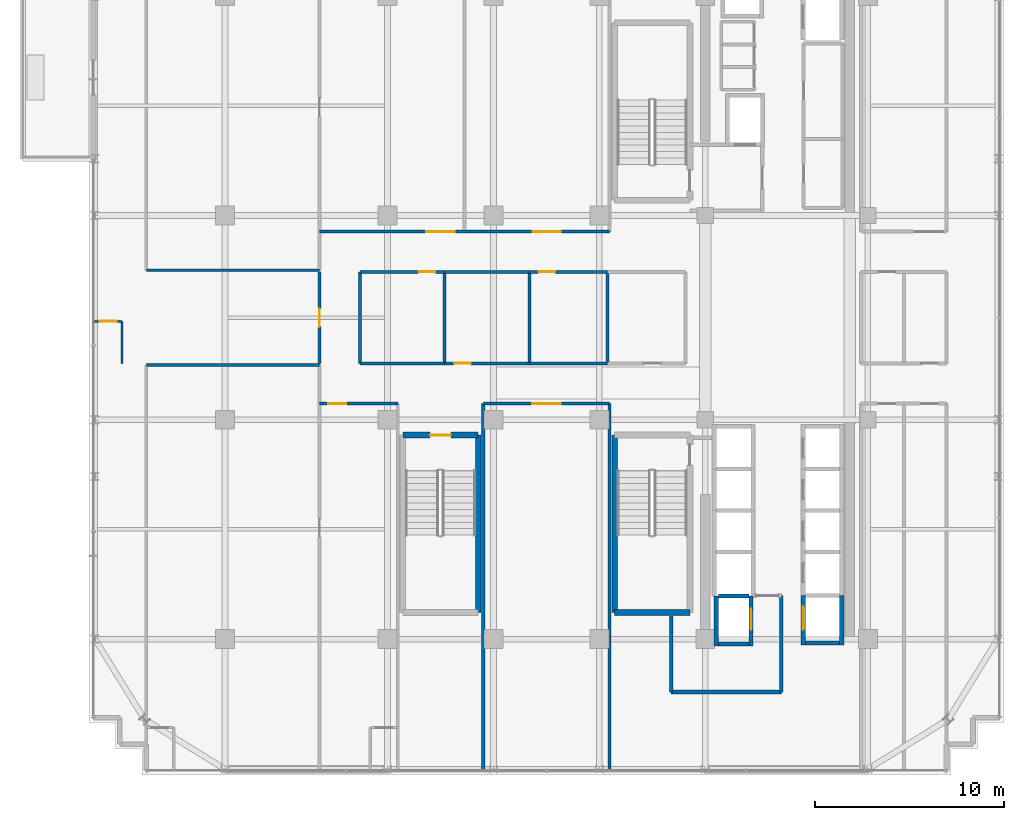
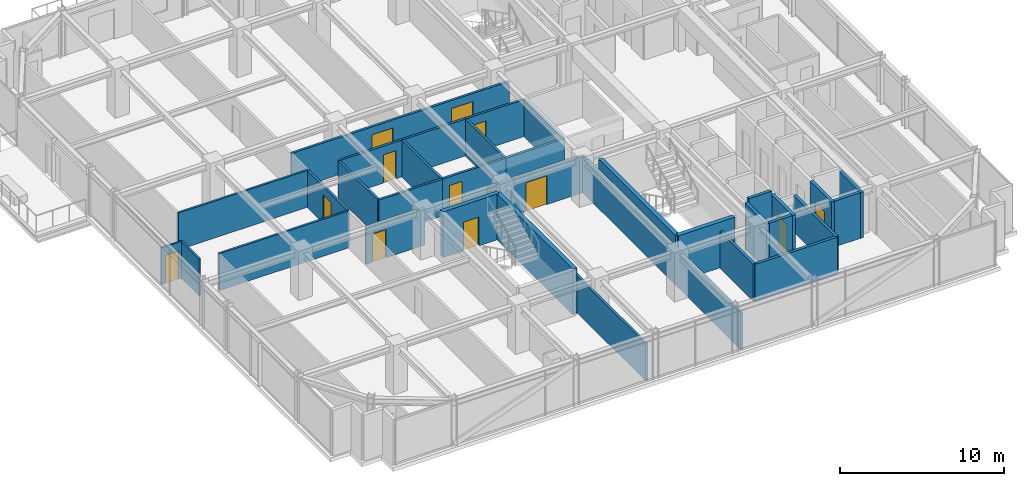
# One storey, part 29 of 36: 34 walls, 12 doors, 12 openings.
"""IFC4 building model written with IfcOpenShell, lengths in metres."""

from ifc_helpers import new_model, si_unit, direction, frame, frame_2d, origin, place, context, subcontext, project, spatial, rectangle, extrude, source, transform, mapped, material, layer, layer_set, type_object, element, fill, save


model = new_model("IFC4")

# Units and contexts
model_context = context("Model", 3, precision=1e-05, world=origin(), true_north=direction((0.0, 1.0)))
body_context = subcontext(model_context, "Body", "Model", "MODEL_VIEW")
ifc_project = project(units=[si_unit("LENGTHUNIT", "METRE"), si_unit("AREAUNIT", "SQUARE_METRE"), si_unit("VOLUMEUNIT", "CUBIC_METRE"), si_unit("PLANEANGLEUNIT", "RADIAN"), si_unit("MASSUNIT", "GRAM", prefix="KILO")], contexts=[model_context])

# Site, building, storey
site_placement = place(None, origin())
site = spatial("IfcSite", under=ifc_project, at=site_placement, CompositionType="ELEMENT")
building_placement = place(site_placement, origin())
building = spatial("IfcBuilding", under=site, at=building_placement, Name="Nahalor Promenade Grand Hotel", CompositionType="ELEMENT")
storey_placement = place(building_placement, frame((0.0, 0.0, 212.300048828125)))
storey = spatial("IfcBuildingStorey", under=building, at=storey_placement, Name="L54", CompositionType="ELEMENT", Elevation=212.300048828125)

# Wall
ifc_material_1 = material(Name="Concrete B-50 (C40/50)", Category="concrete")
ifc_layer_1 = layer(ifc_material_1, 0.300048828125)
ifc_layer_set_1 = layer_set([ifc_layer_1], Name="Concrete B-50 (C40/50)")
wall_type_1 = type_object("IfcWallType", Name="Wall-ShaftShear-300", PredefinedType="SHEAR", material=ifc_layer_set_1)
shared_shape_1 = source(origin(), body_context, "Body", "SweptSolid", [
    extrude(rectangle(XDim=3.97998046875, YDim=0.300048828125, at=frame_2d((1.989990234375, 0.0))), origin(), (0.0, 0.0, 1.0), 3.409912109375),
])
wall_1_placement = place(storey_placement, frame((3.610107421875, -15.590087890625, 0.0), z_axis=(0.0, 0.0, 1.0), x_axis=(1.0, 0.0, 0.0)))
element("IfcWall", 1, at=wall_1_placement, inside=storey, type_object=wall_type_1, Name="L54 Exit Stair ST2 Shaft Wall S", PredefinedType="SHEAR", context=body_context, shape_type="MappedRepresentation", body=[
    mapped(shared_shape_1, transform((0.0, 0.0, 0.0), scale=1.0)),
])

# Wall, opening, door
wall_2_placement = place(storey_placement, frame((-7.590087890625, -6.2099609375, 0.0), z_axis=(0.0, 0.0, 1.0), x_axis=(1.0, 0.0, 0.0)))
wall_2 = element("IfcWall", 2, at=wall_2_placement, inside=storey, type_object=wall_type_1, Name="L54 Exit Stair ST3 Shaft Wall N", PredefinedType="SHEAR", context=body_context, shape_type="MappedRepresentation", body=[
    mapped(shared_shape_1, transform((0.0, 0.0, 0.0), scale=1.0)),
])
opening_1_placement = place(wall_2_placement, frame((1.43994140625, 0.0, 0.0)))
opening_1 = element("IfcOpeningElement", 3, at=opening_1_placement, cuts=wall_2, Name="Opening D-ST1", PredefinedType="OPENING", context=body_context, shape_type="SweptSolid", body=[
    extrude(rectangle(XDim=1.10009765625, YDim=2.14990234375, at=frame_2d((0.550048828125, 1.074951171875))), frame((0.0, 0.159912109375, 0.0), z_axis=(0.0, -1.0, 0.0), x_axis=(1.0, 0.0, 0.0)), (0.0, 0.0, 1.0), 0.320068359375),
])
ifc_material_2 = material(Name="Steel S355JR", Category="steel")
door_type_1 = type_object("IfcDoorType", Name="Door-StairFire-1100", OperationType="NOTDEFINED", PredefinedType="DOOR", material=ifc_material_2)
shared_shape_2 = source(origin(), body_context, "Body", "SweptSolid", [
    extrude(rectangle(XDim=1.10009765625, YDim=2.14990234375, at=frame_2d((0.550048828125, 1.074951171875))), frame((0.0, 0.02490234375, 0.0), z_axis=(0.0, -1.0, 0.0), x_axis=(1.0, 0.0, 0.0)), (0.0, 0.0, 1.0), 0.050048828125),
])
door_1_placement = place(opening_1_placement, frame((1.10009765625, 0.0, 0.0), z_axis=(0.0, 0.0, 1.0), x_axis=(-1.0, 0.0, 0.0)))
door_1 = element("IfcDoor", 4, at=door_1_placement, inside=storey, type_object=door_type_1, Name="DR-STAIR-ST3-L54", OperationType="SINGLE_SWING_LEFT", OverallHeight=2.14990234375, OverallWidth=1.10009765625, PredefinedType="DOOR", context=body_context, shape_type="MappedRepresentation", body=[
    mapped(shared_shape_2, transform((0.0, 0.0, 0.0), scale=1.0)),
])
fill(opening_1, door_1)

# Walls
shared_shape_3 = source(origin(), body_context, "Body", "SweptSolid", [
    extrude(rectangle(XDim=9.380126953125, YDim=0.300048828125, at=frame_2d((4.68994140625, 0.0))), origin(), (0.0, 0.0, 1.0), 3.409912109375),
])
for number, where, z_axis, x_axis, name in (
    (5, (3.610107421875, -15.590087890625, 0.0), (0.0, 0.0, 1.0), (0.0, 1.0, 0.0), "L54 Exit Stair ST2 Shaft Wall W"),
    (6, (-3.610107421875, -15.590087890625, 0.0), (0.0, 0.0, 1.0), (0.0, 1.0, 0.0), "L54 Exit Stair ST3 Shaft Wall E"),
):
    element("IfcWall", number, at=place(storey_placement, frame(where, z_axis=z_axis, x_axis=x_axis)), inside=storey, type_object=wall_type_1, Name=name, PredefinedType="SHEAR", context=body_context, shape_type="MappedRepresentation", body=[
        mapped(shared_shape_3, transform((0.0, 0.0, 0.0), scale=1.0)),
    ])
ifc_layer_2 = layer(ifc_material_1, 0.219970703125)
ifc_layer_set_2 = layer_set([ifc_layer_2], Name="Concrete B-50 (C40/50)")
wall_type_2 = type_object("IfcWallType", Name="Wall-LiftShaft-220", PredefinedType="SHEAR", material=ifc_layer_set_2)
shared_shape_4 = source(origin(), body_context, "Body", "SweptSolid", [
    extrude(rectangle(XDim=1.820068359375, YDim=0.219970703125, at=frame_2d((0.91015625, 0.0))), origin(), (0.0, 0.0, 1.0), 3.409912109375),
])
wall_3_placement = place(storey_placement, frame((13.68994140625, -17.199951171875, 0.0), z_axis=(0.0, 0.0, 1.0), x_axis=(1.0, 0.0, 0.0)))
element("IfcWall", 7, at=wall_3_placement, inside=storey, type_object=wall_type_2, Name="L54 Lift SV2 Hoistway Wall S", PredefinedType="SHEAR", context=body_context, shape_type="MappedRepresentation", body=[
    mapped(shared_shape_4, transform((0.0, 0.0, 0.0), scale=1.0)),
])
shared_shape_5 = source(origin(), body_context, "Body", "SweptSolid", [
    extrude(rectangle(XDim=2.635009765625, YDim=0.219970703125, at=frame_2d((1.3173828125, 0.0))), origin(), (0.0, 0.0, 1.0), 3.409912109375),
])
wall_4_placement = place(storey_placement, frame((8.97998046875, -17.360107421875, 0.0), z_axis=(0.0, 0.0, 1.0), x_axis=(0.0, 1.0, 0.0)))
element("IfcWall", 8, at=wall_4_placement, inside=storey, type_object=wall_type_2, Name="L54 Lift FL2 Hoistway Wall W", PredefinedType="SHEAR", context=body_context, shape_type="MappedRepresentation", body=[
    mapped(shared_shape_5, transform((0.0, 0.0, 0.0), scale=1.0)),
])

# Wall, opening, door
wall_5_placement = place(storey_placement, frame((10.820068359375, -17.360107421875, 0.0), z_axis=(0.0, 0.0, 1.0), x_axis=(0.0, 1.0, 0.0)))
wall_5 = element("IfcWall", 9, at=wall_5_placement, inside=storey, type_object=wall_type_2, Name="L54 Lift FL2 Hoistway Wall E", PredefinedType="SHEAR", context=body_context, shape_type="MappedRepresentation", body=[
    mapped(shared_shape_5, transform((0.0, 0.0, 0.0), scale=1.0)),
])
opening_2_placement = place(wall_5_placement, frame((0.860107421875, 0.0, 0.0)))
opening_2 = element("IfcOpeningElement", 10, at=opening_2_placement, cuts=wall_5, Name="Opening LD-02", PredefinedType="OPENING", context=body_context, shape_type="SweptSolid", body=[
    extrude(rectangle(XDim=1.10009765625, YDim=2.199951171875, at=frame_2d((0.550048828125, 1.10009765625))), frame((0.0, 0.119873046875, 0.0), z_axis=(0.0, -1.0, 0.0), x_axis=(1.0, 0.0, 0.0)), (0.0, 0.0, 1.0), 0.239990234375),
])
door_type_2 = type_object("IfcDoorType", Name="Door-LiftFF-1100", OperationType="DOUBLE_DOOR_SLIDING", PredefinedType="DOOR", material=ifc_material_2)
shared_shape_6 = source(origin(), body_context, "Body", "SweptSolid", [
    extrude(rectangle(XDim=1.10009765625, YDim=2.199951171875, at=frame_2d((0.550048828125, 1.10009765625))), frame((0.0, 0.02490234375, 0.0), z_axis=(0.0, -1.0, 0.0), x_axis=(1.0, 0.0, 0.0)), (0.0, 0.0, 1.0), 0.050048828125),
])
door_2_placement = place(opening_2_placement, frame((1.10009765625, 0.0, 0.0), z_axis=(0.0, 0.0, 1.0), x_axis=(-1.0, 0.0, 0.0)))
door_2 = element("IfcDoor", 11, at=door_2_placement, inside=storey, type_object=door_type_2, Name="DR-LIFT-FL2-L54", OperationType="DOUBLE_DOOR_SLIDING", OverallHeight=2.199951171875, OverallWidth=1.10009765625, PredefinedType="DOOR", context=body_context, shape_type="MappedRepresentation", body=[
    mapped(shared_shape_6, transform((0.0, 0.0, 0.0), scale=1.0)),
])
fill(opening_2, door_2)

# Walls
shared_shape_7 = source(origin(), body_context, "Body", "SweptSolid", [
    extrude(rectangle(XDim=1.619873046875, YDim=0.219970703125, at=frame_2d((0.81005859375, 0.0))), origin(), (0.0, 0.0, 1.0), 3.409912109375),
])
wall_6_placement = place(storey_placement, frame((9.090087890625, -17.25, 0.0), z_axis=(0.0, 0.0, 1.0), x_axis=(1.0, 0.0, 0.0)))
element("IfcWall", 12, at=wall_6_placement, inside=storey, type_object=wall_type_2, Name="L54 Lift FL2 Hoistway Wall S", PredefinedType="SHEAR", context=body_context, shape_type="MappedRepresentation", body=[
    mapped(shared_shape_7, transform((0.0, 0.0, 0.0), scale=1.0)),
])
shared_shape_8 = source(origin(), body_context, "Body", "SweptSolid", [
    extrude(rectangle(XDim=1.619873046875, YDim=0.219970703125, at=frame_2d((0.81005859375, 0.0))), origin(), (0.0, 0.0, 1.0), 3.699951171875),
])
wall_7_placement = place(storey_placement, frame((9.090087890625, -14.72509765625, 0.0), z_axis=(0.0, 0.0, 1.0), x_axis=(1.0, 0.0, 0.0)))
element("IfcWall", 13, at=wall_7_placement, inside=storey, type_object=wall_type_2, Name="L54 Lift FL2 Hoistway Wall N", PredefinedType="SHEAR", context=body_context, shape_type="MappedRepresentation", body=[
    mapped(shared_shape_8, transform((0.0, 0.0, 0.0), scale=1.0)),
])

# Wall, opening, door
shared_shape_9 = source(origin(), body_context, "Body", "SweptSolid", [
    extrude(rectangle(XDim=2.610107421875, YDim=0.219970703125, at=frame_2d((1.30517578125, 0.0))), origin(), (0.0, 0.0, 1.0), 3.409912109375),
])
wall_8_placement = place(storey_placement, frame((13.580078125, -17.31005859375, 0.0), z_axis=(0.0, 0.0, 1.0), x_axis=(0.0, 1.0, 0.0)))
wall_8 = element("IfcWall", 14, at=wall_8_placement, inside=storey, type_object=wall_type_2, Name="L54 Lift SV2 Hoistway Wall W", PredefinedType="SHEAR", context=body_context, shape_type="MappedRepresentation", body=[
    mapped(shared_shape_9, transform((0.0, 0.0, 0.0), scale=1.0)),
])
opening_3_placement = place(wall_8_placement, frame((0.81005859375, 0.0, 0.0)))
opening_3 = element("IfcOpeningElement", 15, at=opening_3_placement, cuts=wall_8, Name="Opening LD-03", PredefinedType="OPENING", context=body_context, shape_type="SweptSolid", body=[
    extrude(rectangle(XDim=1.199951171875, YDim=2.199951171875, at=frame_2d((0.60009765625, 1.10009765625))), frame((0.0, 0.119873046875, 0.0), z_axis=(0.0, -1.0, 0.0), x_axis=(1.0, 0.0, 0.0)), (0.0, 0.0, 1.0), 0.239990234375),
])
door_type_3 = type_object("IfcDoorType", Name="Door-LiftService-1200", OperationType="DOUBLE_DOOR_SLIDING", PredefinedType="DOOR", material=ifc_material_2)
shared_shape_10 = source(origin(), body_context, "Body", "SweptSolid", [
    extrude(rectangle(XDim=1.199951171875, YDim=2.199951171875, at=frame_2d((0.60009765625, 1.10009765625))), frame((0.0, 0.02490234375, 0.0), z_axis=(0.0, -1.0, 0.0), x_axis=(1.0, 0.0, 0.0)), (0.0, 0.0, 1.0), 0.050048828125),
])
door_3_placement = place(opening_3_placement, origin())
door_3 = element("IfcDoor", 16, at=door_3_placement, inside=storey, type_object=door_type_3, Name="DR-LIFT-SV2-L54", OperationType="DOUBLE_DOOR_SLIDING", OverallHeight=2.199951171875, OverallWidth=1.199951171875, PredefinedType="DOOR", context=body_context, shape_type="MappedRepresentation", body=[
    mapped(shared_shape_10, transform((0.0, 0.0, 0.0), scale=1.0)),
])
fill(opening_3, door_3)

# Walls
wall_9_placement = place(storey_placement, frame((15.6201171875, -17.31005859375, 0.0), z_axis=(0.0, 0.0, 1.0), x_axis=(0.0, 1.0, 0.0)))
element("IfcWall", 17, at=wall_9_placement, inside=storey, type_object=wall_type_2, Name="L54 Lift SV2 Hoistway Wall E", PredefinedType="SHEAR", context=body_context, shape_type="MappedRepresentation", body=[
    mapped(shared_shape_9, transform((0.0, 0.0, 0.0), scale=1.0)),
])
ifc_material_3 = material(Name="Concrete B-40 (C32/40)", Category="concrete")
ifc_layer_3 = layer(ifc_material_3, 0.199951171875)
ifc_layer_set_3 = layer_set([ifc_layer_3], Name="Concrete B-40 (C32/40)")
wall_type_3 = type_object("IfcWallType", Name="Wall-PartFire-200", PredefinedType="PARTITIONING", material=ifc_layer_set_3)
shared_shape_11 = source(origin(), body_context, "Body", "SweptSolid", [
    extrude(rectangle(XDim=5.81982421875, YDim=0.199951171875, at=frame_2d((2.909912109375, 0.0))), origin(), (0.0, 0.0, 1.0), 2.75),
])
wall_10_placement = place(storey_placement, frame((6.60009765625, -19.800048828125, 0.0), z_axis=(0.0, 0.0, 1.0), x_axis=(1.0, 0.0, 0.0)))
element("IfcWall", 18, at=wall_10_placement, inside=storey, type_object=wall_type_3, Name="W-L54-FF2-S1", PredefinedType="PARTITIONING", context=body_context, shape_type="MappedRepresentation", body=[
    mapped(shared_shape_11, transform((0.0, 0.0, 0.0), scale=1.0)),
])
shared_shape_12 = source(origin(), body_context, "Body", "SweptSolid", [
    extrude(rectangle(XDim=4.030029296875, YDim=0.199951171875, at=frame_2d((2.01513671875, 0.0))), origin(), (0.0, 0.0, 1.0), 2.75),
])
wall_11_placement = place(storey_placement, frame((6.60009765625, -19.800048828125, 0.0), z_axis=(0.0, 0.0, 1.0), x_axis=(0.0, 1.0, 0.0)))
element("IfcWall", 19, at=wall_11_placement, inside=storey, type_object=wall_type_3, Name="W-L54-FF2-W1", PredefinedType="PARTITIONING", context=body_context, shape_type="MappedRepresentation", body=[
    mapped(shared_shape_12, transform((0.0, 0.0, 0.0), scale=1.0)),
])
shared_shape_13 = source(origin(), body_context, "Body", "SweptSolid", [
    extrude(rectangle(XDim=5.10009765625, YDim=0.199951171875, at=frame_2d((2.550048828125, 0.0))), origin(), (0.0, 0.0, 1.0), 2.75),
])
wall_12_placement = place(storey_placement, frame((12.419921875, -19.800048828125, 0.0), z_axis=(0.0, 0.0, 1.0), x_axis=(0.0, 1.0, 0.0)))
element("IfcWall", 20, at=wall_12_placement, inside=storey, type_object=wall_type_3, Name="W-L54-FF2-E", PredefinedType="PARTITIONING", context=body_context, shape_type="MappedRepresentation", body=[
    mapped(shared_shape_13, transform((0.0, 0.0, 0.0), scale=1.0)),
])
ifc_material_4 = material(Name="Acoustic Mineral Gypsum", Category="gypsum")
ifc_layer_4 = layer(ifc_material_4, 0.159912109375)
ifc_layer_set_4 = layer_set([ifc_layer_4], Name="Acoustic Mineral Gypsum")
wall_type_4 = type_object("IfcWallType", Name="Wall-PartCorridor-160", PredefinedType="PARTITIONING", material=ifc_layer_set_4)
shared_shape_14 = source(origin(), body_context, "Body", "SweptSolid", [
    extrude(rectangle(XDim=19.349853515625, YDim=0.159912109375, at=frame_2d((9.6748046875, 0.0))), origin(), (0.0, 0.0, 1.0), 2.75),
])
for number, where, z_axis, x_axis, name in (
    (21, (-3.340087890625, -23.89990234375, 0.0), (0.0, 0.0, 1.0), (0.0, 1.0, 0.0), "W-L54-SCB-W"),
    (22, (3.340087890625, -23.89990234375, 0.0), (0.0, 0.0, 1.0), (0.0, 1.0, 0.0), "W-L54-SCB-E"),
):
    element("IfcWall", number, at=place(storey_placement, frame(where, z_axis=z_axis, x_axis=x_axis)), inside=storey, type_object=wall_type_4, Name=name, PredefinedType="PARTITIONING", context=body_context, shape_type="MappedRepresentation", body=[
        mapped(shared_shape_14, transform((0.0, 0.0, 0.0), scale=1.0)),
    ])

# Wall, opening, door
ifc_layer_5 = layer(ifc_material_4, 0.1201171875)
ifc_layer_set_5 = layer_set([ifc_layer_5], Name="Acoustic Mineral Gypsum")
wall_type_5 = type_object("IfcWallType", Name="Wall-PartBath-120", PredefinedType="PARTITIONING", material=ifc_layer_set_5)
shared_shape_15 = source(origin(), body_context, "Body", "SweptSolid", [
    extrude(rectangle(XDim=1.449951171875, YDim=0.1201171875, at=frame_2d((0.72509765625, 0.0))), origin(), (0.0, 0.0, 1.0), 2.75),
])
wall_13_placement = place(storey_placement, frame((-23.89990234375, -0.199951171875, 0.0), z_axis=(0.0, 0.0, 1.0), x_axis=(1.0, 0.0, 0.0)))
wall_13 = element("IfcWall", 23, at=wall_13_placement, inside=storey, type_object=wall_type_5, Name="W-L54-W1-BH", PredefinedType="PARTITIONING", context=body_context, shape_type="MappedRepresentation", body=[
    mapped(shared_shape_15, transform((0.0, 0.0, 0.0), scale=1.0)),
])
opening_4_placement = place(wall_13_placement, frame((0.284912109375, 0.0, 0.0)))
opening_4 = element("IfcOpeningElement", 24, at=opening_4_placement, cuts=wall_13, Name="Opening D-03", PredefinedType="OPENING", context=body_context, shape_type="SweptSolid", body=[
    extrude(rectangle(XDim=0.8798828125, YDim=2.10009765625, at=frame_2d((0.43994140625, 1.050048828125))), frame((0.0, 0.070068359375, 0.0), z_axis=(0.0, -1.0, 0.0), x_axis=(1.0, 0.0, 0.0)), (0.0, 0.0, 1.0), 0.14013671875),
])
ifc_material_5 = material(Name="Fire-Rated Timber Composite", Category="wood")
door_type_4 = type_object("IfcDoorType", Name="Door-BathSwing-880", OperationType="NOTDEFINED", PredefinedType="DOOR", material=ifc_material_5)
shared_shape_16 = source(origin(), body_context, "Body", "SweptSolid", [
    extrude(rectangle(XDim=0.8798828125, YDim=2.10009765625, at=frame_2d((0.43994140625, 1.050048828125))), frame((0.0, 0.02490234375, 0.0), z_axis=(0.0, -1.0, 0.0), x_axis=(1.0, 0.0, 0.0)), (0.0, 0.0, 1.0), 0.050048828125),
])
door_4_placement = place(opening_4_placement, frame((0.8798828125, 0.0, 0.0), z_axis=(0.0, 0.0, 1.0), x_axis=(-1.0, 0.0, 0.0)))
door_4 = element("IfcDoor", 25, at=door_4_placement, inside=storey, type_object=door_type_4, Name="DR-L54-W1-BATH", OperationType="SINGLE_SWING_LEFT", OverallHeight=2.10009765625, OverallWidth=0.8798828125, PredefinedType="DOOR", context=body_context, shape_type="MappedRepresentation", body=[
    mapped(shared_shape_16, transform((0.0, 0.0, 0.0), scale=1.0)),
])
fill(opening_4, door_4)

# Wall
shared_shape_17 = source(origin(), body_context, "Body", "SweptSolid", [
    extrude(rectangle(XDim=2.219970703125, YDim=0.1201171875, at=frame_2d((1.10986328125, 0.0))), origin(), (0.0, 0.0, 1.0), 2.75),
])
wall_14_placement = place(storey_placement, frame((-22.449951171875, -2.419921875, 0.0), z_axis=(0.0, 0.0, 1.0), x_axis=(0.0, 1.0, 0.0)))
element("IfcWall", 26, at=wall_14_placement, inside=storey, type_object=wall_type_5, Name="W-L54-W1-BV", PredefinedType="PARTITIONING", context=body_context, shape_type="MappedRepresentation", body=[
    mapped(shared_shape_17, transform((0.0, 0.0, 0.0), scale=1.0)),
])

# Wall, opening, door
shared_shape_18 = source(origin(), body_context, "Body", "SweptSolid", [
    extrude(rectangle(XDim=4.83984375, YDim=0.159912109375, at=frame_2d((2.419921875, 0.0))), origin(), (0.0, 0.0, 1.0), 2.75),
])
wall_15_placement = place(storey_placement, frame((-12.0, -2.419921875, 0.0), z_axis=(0.0, 0.0, 1.0), x_axis=(0.0, 1.0, 0.0)))
wall_15 = element("IfcWall", 27, at=wall_15_placement, inside=storey, type_object=wall_type_4, Name="W-L54-WEST-E", PredefinedType="PARTITIONING", context=body_context, shape_type="MappedRepresentation", body=[
    mapped(shared_shape_18, transform((0.0, 0.0, 0.0), scale=1.0)),
])
opening_5_placement = place(wall_15_placement, frame((1.945068359375, 0.0, 0.0)))
opening_5 = element("IfcOpeningElement", 28, at=opening_5_placement, cuts=wall_15, Name="Opening D-01", PredefinedType="OPENING", context=body_context, shape_type="SweptSolid", body=[
    extrude(rectangle(XDim=0.949951171875, YDim=2.10009765625, at=frame_2d((0.47509765625, 1.050048828125))), frame((0.0, 0.08984375, 0.0), z_axis=(0.0, -1.0, 0.0), x_axis=(1.0, 0.0, 0.0)), (0.0, 0.0, 1.0), 0.179931640625),
])
door_type_5 = type_object("IfcDoorType", Name="Door-GuestEntry-950", OperationType="NOTDEFINED", PredefinedType="DOOR", material=ifc_material_5)
shared_shape_19 = source(origin(), body_context, "Body", "SweptSolid", [
    extrude(rectangle(XDim=0.949951171875, YDim=2.10009765625, at=frame_2d((0.47509765625, 1.050048828125))), frame((0.0, 0.02490234375, 0.0), z_axis=(0.0, -1.0, 0.0), x_axis=(1.0, 0.0, 0.0)), (0.0, 0.0, 1.0), 0.050048828125),
])
door_5_placement = place(opening_5_placement, origin())
door_5 = element("IfcDoor", 29, at=door_5_placement, inside=storey, type_object=door_type_5, Name="DR-L54-W1-ENT", OperationType="SINGLE_SWING_RIGHT", OverallHeight=2.10009765625, OverallWidth=0.949951171875, PredefinedType="DOOR", context=body_context, shape_type="MappedRepresentation", body=[
    mapped(shared_shape_19, transform((0.0, 0.0, 0.0), scale=1.0)),
])
fill(opening_5, door_5)

# Walls
for number, where, z_axis, x_axis, name in (
    (30, (-9.85009765625, -2.419921875, 0.0), (0.0, 0.0, 1.0), (0.0, 1.0, 0.0), "W-L54-CM1-W"),
    (31, (-5.3779296875, -2.419921875, 0.0), (0.0, 0.0, 1.0), (0.0, 1.0, 0.0), "W-L54-CM1-E"),
    (32, (-0.906005859375, -2.419921875, 0.0), (0.0, 0.0, 1.0), (0.0, 1.0, 0.0), "W-L54-CM2-E"),
    (33, (3.221923828125, -2.419921875, 0.0), (0.0, 0.0, 1.0), (0.0, 1.0, 0.0), "W-L54-CM3-E"),
):
    element("IfcWall", number, at=place(storey_placement, frame(where, z_axis=z_axis, x_axis=x_axis)), inside=storey, type_object=wall_type_4, Name=name, PredefinedType="PARTITIONING", context=body_context, shape_type="MappedRepresentation", body=[
        mapped(shared_shape_18, transform((0.0, 0.0, 0.0), scale=1.0)),
    ])
ifc_layer_6 = layer(ifc_material_4, 0.139892578125)
ifc_layer_set_6 = layer_set([ifc_layer_6], Name="Acoustic Mineral Gypsum")
wall_type_6 = type_object("IfcWallType", Name="Wall-PartSuite-140", PredefinedType="PARTITIONING", material=ifc_layer_set_6)
shared_shape_20 = source(origin(), body_context, "Body", "SweptSolid", [
    extrude(rectangle(XDim=9.159912109375, YDim=0.139892578125, at=frame_2d((4.580078125, 0.0))), origin(), (0.0, 0.0, 1.0), 2.75),
])
for number, where, z_axis, x_axis, name in (
    (34, (-21.159912109375, 2.5, 0.0), (0.0, 0.0, 1.0), (1.0, 0.0, 0.0), "W-L54-ZNW-S"),
    (35, (-21.159912109375, -2.5, 0.0), (0.0, 0.0, 1.0), (1.0, 0.0, 0.0), "W-L54-ZSW-N"),
):
    element("IfcWall", number, at=place(storey_placement, frame(where, z_axis=z_axis, x_axis=x_axis)), inside=storey, type_object=wall_type_6, Name=name, PredefinedType="PARTITIONING", context=body_context, shape_type="MappedRepresentation", body=[
        mapped(shared_shape_20, transform((0.0, 0.0, 0.0), scale=1.0)),
    ])

# Wall, openings, doors
shared_shape_21 = source(origin(), body_context, "Body", "SweptSolid", [
    extrude(rectangle(XDim=15.340087890625, YDim=0.159912109375, at=frame_2d((7.669921875, 0.0))), origin(), (0.0, 0.0, 1.0), 2.75),
])
wall_16_placement = place(storey_placement, frame((-12.0, 4.550048828125, 0.0), z_axis=(0.0, 0.0, 1.0), x_axis=(1.0, 0.0, 0.0)))
wall_16 = element("IfcWall", 36, at=wall_16_placement, inside=storey, type_object=wall_type_4, Name="W-L54-CORR-N", PredefinedType="PARTITIONING", context=body_context, shape_type="MappedRepresentation", body=[
    mapped(shared_shape_21, transform((0.0, 0.0, 0.0), scale=1.0)),
])
opening_6_placement = place(wall_16_placement, frame((5.655029296875, 0.0, 0.0)))
opening_6 = element("IfcOpeningElement", 37, at=opening_6_placement, cuts=wall_16, Name="Opening D-02", PredefinedType="OPENING", context=body_context, shape_type="SweptSolid", body=[
    extrude(rectangle(XDim=1.5, YDim=2.14990234375, at=frame_2d((0.75, 1.074951171875))), frame((0.0, 0.08984375, 0.0), z_axis=(0.0, -1.0, 0.0), x_axis=(1.0, 0.0, 0.0)), (0.0, 0.0, 1.0), 0.179931640625),
])
opening_7_placement = place(wall_16_placement, frame((11.26904296875, 0.0, 0.0)))
opening_7 = element("IfcOpeningElement", 38, at=opening_7_placement, cuts=wall_16, Name="Opening D-02", PredefinedType="OPENING", context=body_context, shape_type="SweptSolid", body=[
    extrude(rectangle(XDim=1.5, YDim=2.14990234375, at=frame_2d((0.75, 1.074951171875))), frame((0.0, 0.08984375, 0.0), z_axis=(0.0, -1.0, 0.0), x_axis=(1.0, 0.0, 0.0)), (0.0, 0.0, 1.0), 0.179931640625),
])
door_type_6 = type_object("IfcDoorType", Name="Door-SuiteDouble-1500", OperationType="DOUBLE_DOOR_SINGLE_SWING", PredefinedType="DOOR", material=ifc_material_5)
shared_shape_22 = source(origin(), body_context, "Body", "SweptSolid", [
    extrude(rectangle(XDim=1.5, YDim=2.14990234375, at=frame_2d((0.75, 1.074951171875))), frame((0.0, 0.02490234375, 0.0), z_axis=(0.0, -1.0, 0.0), x_axis=(1.0, 0.0, 0.0)), (0.0, 0.0, 1.0), 0.050048828125),
])
door_6_placement = place(opening_6_placement, origin())
door_6 = element("IfcDoor", 39, at=door_6_placement, inside=storey, type_object=door_type_6, Name="DR-L54-N1-ENT", OperationType="DOUBLE_DOOR_SINGLE_SWING", OverallHeight=2.14990234375, OverallWidth=1.5, PredefinedType="DOOR", context=body_context, shape_type="MappedRepresentation", body=[
    mapped(shared_shape_22, transform((0.0, 0.0, 0.0), scale=1.0)),
])
fill(opening_6, door_6)
door_7_placement = place(opening_7_placement, origin())
door_7 = element("IfcDoor", 40, at=door_7_placement, inside=storey, type_object=door_type_6, Name="DR-L54-N2-ENT", OperationType="DOUBLE_DOOR_SINGLE_SWING", OverallHeight=2.14990234375, OverallWidth=1.5, PredefinedType="DOOR", context=body_context, shape_type="MappedRepresentation", body=[
    mapped(shared_shape_22, transform((0.0, 0.0, 0.0), scale=1.0)),
])
fill(opening_7, door_7)

# Wall, opening, door
shared_shape_23 = source(origin(), body_context, "Body", "SweptSolid", [
    extrude(rectangle(XDim=4.139892578125, YDim=0.159912109375, at=frame_2d((2.06982421875, 0.0))), origin(), (0.0, 0.0, 1.0), 2.75),
])
wall_17_placement = place(storey_placement, frame((-12.0, -4.550048828125, 0.0), z_axis=(0.0, 0.0, 1.0), x_axis=(1.0, 0.0, 0.0)))
wall_17 = element("IfcWall", 41, at=wall_17_placement, inside=storey, type_object=wall_type_4, Name="W-L54-CORR-S", PredefinedType="PARTITIONING", context=body_context, shape_type="MappedRepresentation", body=[
    mapped(shared_shape_23, transform((0.0, 0.0, 0.0), scale=1.0)),
])
opening_8_placement = place(wall_17_placement, frame((0.45703125, 0.0, 0.0)))
opening_8 = element("IfcOpeningElement", 42, at=opening_8_placement, cuts=wall_17, Name="Opening D-01", PredefinedType="OPENING", context=body_context, shape_type="SweptSolid", body=[
    extrude(rectangle(XDim=0.949951171875, YDim=2.10009765625, at=frame_2d((0.47509765625, 1.050048828125))), frame((0.0, 0.08984375, 0.0), z_axis=(0.0, -1.0, 0.0), x_axis=(1.0, 0.0, 0.0)), (0.0, 0.0, 1.0), 0.179931640625),
])
door_8_placement = place(opening_8_placement, frame((0.949951171875, 0.0, 0.0), z_axis=(0.0, 0.0, 1.0), x_axis=(-1.0, 0.0, 0.0)))
door_8 = element("IfcDoor", 43, at=door_8_placement, inside=storey, type_object=door_type_5, Name="DR-L54-S1-ENT", OperationType="SINGLE_SWING_RIGHT", OverallHeight=2.10009765625, OverallWidth=0.949951171875, PredefinedType="DOOR", context=body_context, shape_type="MappedRepresentation", body=[
    mapped(shared_shape_19, transform((0.0, 0.0, 0.0), scale=1.0)),
])
fill(opening_8, door_8)

shared_shape_24 = source(origin(), body_context, "Body", "SweptSolid", [
    extrude(rectangle(XDim=6.68017578125, YDim=0.159912109375, at=frame_2d((3.340087890625, 0.0))), origin(), (0.0, 0.0, 1.0), 2.75),
])
wall_18_placement = place(storey_placement, frame((-3.340087890625, -4.550048828125, 0.0), z_axis=(0.0, 0.0, 1.0), x_axis=(1.0, 0.0, 0.0)))
wall_18 = element("IfcWall", 44, at=wall_18_placement, inside=storey, type_object=wall_type_4, Name="W-L54-SCB-N", PredefinedType="PARTITIONING", context=body_context, shape_type="MappedRepresentation", body=[
    mapped(shared_shape_24, transform((0.0, 0.0, 0.0), scale=1.0)),
])
opening_9_placement = place(wall_18_placement, frame((2.590087890625, 0.0, 0.0)))
opening_9 = element("IfcOpeningElement", 45, at=opening_9_placement, cuts=wall_18, Name="Opening D-02", PredefinedType="OPENING", context=body_context, shape_type="SweptSolid", body=[
    extrude(rectangle(XDim=1.5, YDim=2.14990234375, at=frame_2d((0.75, 1.074951171875))), frame((0.0, 0.08984375, 0.0), z_axis=(0.0, -1.0, 0.0), x_axis=(1.0, 0.0, 0.0)), (0.0, 0.0, 1.0), 0.179931640625),
])
door_9_placement = place(opening_9_placement, frame((1.5, 0.0, 0.0), z_axis=(0.0, 0.0, 1.0), x_axis=(-1.0, 0.0, 0.0)))
door_9 = element("IfcDoor", 46, at=door_9_placement, inside=storey, type_object=door_type_6, Name="DR-L54-SCB", OperationType="DOUBLE_DOOR_SINGLE_SWING", OverallHeight=2.14990234375, OverallWidth=1.5, PredefinedType="DOOR", context=body_context, shape_type="MappedRepresentation", body=[
    mapped(shared_shape_22, transform((0.0, 0.0, 0.0), scale=1.0)),
])
fill(opening_9, door_9)

# Wall
shared_shape_25 = source(origin(), body_context, "Body", "SweptSolid", [
    extrude(rectangle(XDim=4.47216796875, YDim=0.159912109375, at=frame_2d((2.236083984375, 0.0))), origin(), (0.0, 0.0, 1.0), 2.75),
])
wall_19_placement = place(storey_placement, frame((-9.85009765625, -2.419921875, 0.0), z_axis=(0.0, 0.0, 1.0), x_axis=(1.0, 0.0, 0.0)))
element("IfcWall", 47, at=wall_19_placement, inside=storey, type_object=wall_type_4, Name="W-L54-CM1-S", PredefinedType="PARTITIONING", context=body_context, shape_type="MappedRepresentation", body=[
    mapped(shared_shape_25, transform((0.0, 0.0, 0.0), scale=1.0)),
])

# Wall, opening, door
wall_20_placement = place(storey_placement, frame((-9.85009765625, 2.419921875, 0.0), z_axis=(0.0, 0.0, 1.0), x_axis=(1.0, 0.0, 0.0)))
wall_20 = element("IfcWall", 48, at=wall_20_placement, inside=storey, type_object=wall_type_4, Name="W-L54-CM1-N", PredefinedType="PARTITIONING", context=body_context, shape_type="MappedRepresentation", body=[
    mapped(shared_shape_25, transform((0.0, 0.0, 0.0), scale=1.0)),
])
opening_10_placement = place(wall_20_placement, frame((3.093017578125, 0.0, 0.0)))
opening_10 = element("IfcOpeningElement", 49, at=opening_10_placement, cuts=wall_20, Name="Opening D-03", PredefinedType="OPENING", context=body_context, shape_type="SweptSolid", body=[
    extrude(rectangle(XDim=0.8798828125, YDim=2.10009765625, at=frame_2d((0.43994140625, 1.050048828125))), frame((0.0, 0.08984375, 0.0), z_axis=(0.0, -1.0, 0.0), x_axis=(1.0, 0.0, 0.0)), (0.0, 0.0, 1.0), 0.179931640625),
])
door_10_placement = place(opening_10_placement, frame((0.8798828125, 0.0, 0.0), z_axis=(0.0, 0.0, 1.0), x_axis=(-1.0, 0.0, 0.0)))
door_10 = element("IfcDoor", 50, at=door_10_placement, inside=storey, type_object=door_type_4, Name="DR-L54-CM1", OperationType="SINGLE_SWING_LEFT", OverallHeight=2.10009765625, OverallWidth=0.8798828125, PredefinedType="DOOR", context=body_context, shape_type="MappedRepresentation", body=[
    mapped(shared_shape_16, transform((0.0, 0.0, 0.0), scale=1.0)),
])
fill(opening_10, door_10)

shared_shape_26 = source(origin(), body_context, "Body", "SweptSolid", [
    extrude(rectangle(XDim=4.471923828125, YDim=0.159912109375, at=frame_2d((2.23583984375, 0.0))), origin(), (0.0, 0.0, 1.0), 2.75),
])
wall_21_placement = place(storey_placement, frame((-5.3779296875, -2.419921875, 0.0), z_axis=(0.0, 0.0, 1.0), x_axis=(1.0, 0.0, 0.0)))
wall_21 = element("IfcWall", 51, at=wall_21_placement, inside=storey, type_object=wall_type_4, Name="W-L54-CM2-S", PredefinedType="PARTITIONING", context=body_context, shape_type="MappedRepresentation", body=[
    mapped(shared_shape_26, transform((0.0, 0.0, 0.0), scale=1.0)),
])
opening_11_placement = place(wall_21_placement, frame((0.4990234375, 0.0, 0.0)))
opening_11 = element("IfcOpeningElement", 52, at=opening_11_placement, cuts=wall_21, Name="Opening D-03", PredefinedType="OPENING", context=body_context, shape_type="SweptSolid", body=[
    extrude(rectangle(XDim=0.8798828125, YDim=2.10009765625, at=frame_2d((0.43994140625, 1.050048828125))), frame((0.0, 0.08984375, 0.0), z_axis=(0.0, -1.0, 0.0), x_axis=(1.0, 0.0, 0.0)), (0.0, 0.0, 1.0), 0.179931640625),
])
door_11_placement = place(opening_11_placement, origin())
door_11 = element("IfcDoor", 53, at=door_11_placement, inside=storey, type_object=door_type_4, Name="DR-L54-CM2", OperationType="SINGLE_SWING_RIGHT", OverallHeight=2.10009765625, OverallWidth=0.8798828125, PredefinedType="DOOR", context=body_context, shape_type="MappedRepresentation", body=[
    mapped(shared_shape_16, transform((0.0, 0.0, 0.0), scale=1.0)),
])
fill(opening_11, door_11)

# Walls
wall_22_placement = place(storey_placement, frame((-5.3779296875, 2.419921875, 0.0), z_axis=(0.0, 0.0, 1.0), x_axis=(1.0, 0.0, 0.0)))
element("IfcWall", 54, at=wall_22_placement, inside=storey, type_object=wall_type_4, Name="W-L54-CM2-N", PredefinedType="PARTITIONING", context=body_context, shape_type="MappedRepresentation", body=[
    mapped(shared_shape_26, transform((0.0, 0.0, 0.0), scale=1.0)),
])
shared_shape_27 = source(origin(), body_context, "Body", "SweptSolid", [
    extrude(rectangle(XDim=4.1279296875, YDim=0.159912109375, at=frame_2d((2.06396484375, 0.0))), origin(), (0.0, 0.0, 1.0), 2.75),
])
wall_23_placement = place(storey_placement, frame((-0.906005859375, -2.419921875, 0.0), z_axis=(0.0, 0.0, 1.0), x_axis=(1.0, 0.0, 0.0)))
element("IfcWall", 55, at=wall_23_placement, inside=storey, type_object=wall_type_4, Name="W-L54-CM3-S", PredefinedType="PARTITIONING", context=body_context, shape_type="MappedRepresentation", body=[
    mapped(shared_shape_27, transform((0.0, 0.0, 0.0), scale=1.0)),
])

# Wall, opening, door
wall_24_placement = place(storey_placement, frame((-0.906005859375, 2.419921875, 0.0), z_axis=(0.0, 0.0, 1.0), x_axis=(1.0, 0.0, 0.0)))
wall_24 = element("IfcWall", 56, at=wall_24_placement, inside=storey, type_object=wall_type_4, Name="W-L54-CM3-N", PredefinedType="PARTITIONING", context=body_context, shape_type="MappedRepresentation", body=[
    mapped(shared_shape_27, transform((0.0, 0.0, 0.0), scale=1.0)),
])
opening_12_placement = place(wall_24_placement, frame((0.490966796875, 0.0, 0.0)))
opening_12 = element("IfcOpeningElement", 57, at=opening_12_placement, cuts=wall_24, Name="Opening D-03", PredefinedType="OPENING", context=body_context, shape_type="SweptSolid", body=[
    extrude(rectangle(XDim=0.8798828125, YDim=2.10009765625, at=frame_2d((0.43994140625, 1.050048828125))), frame((0.0, 0.08984375, 0.0), z_axis=(0.0, -1.0, 0.0), x_axis=(1.0, 0.0, 0.0)), (0.0, 0.0, 1.0), 0.179931640625),
])
door_12_placement = place(opening_12_placement, frame((0.8798828125, 0.0, 0.0), z_axis=(0.0, 0.0, 1.0), x_axis=(-1.0, 0.0, 0.0)))
door_12 = element("IfcDoor", 58, at=door_12_placement, inside=storey, type_object=door_type_4, Name="DR-L54-CM3", OperationType="SINGLE_SWING_LEFT", OverallHeight=2.10009765625, OverallWidth=0.8798828125, PredefinedType="DOOR", context=body_context, shape_type="MappedRepresentation", body=[
    mapped(shared_shape_16, transform((0.0, 0.0, 0.0), scale=1.0)),
])
fill(opening_12, door_12)

save(model, "model.ifc")
